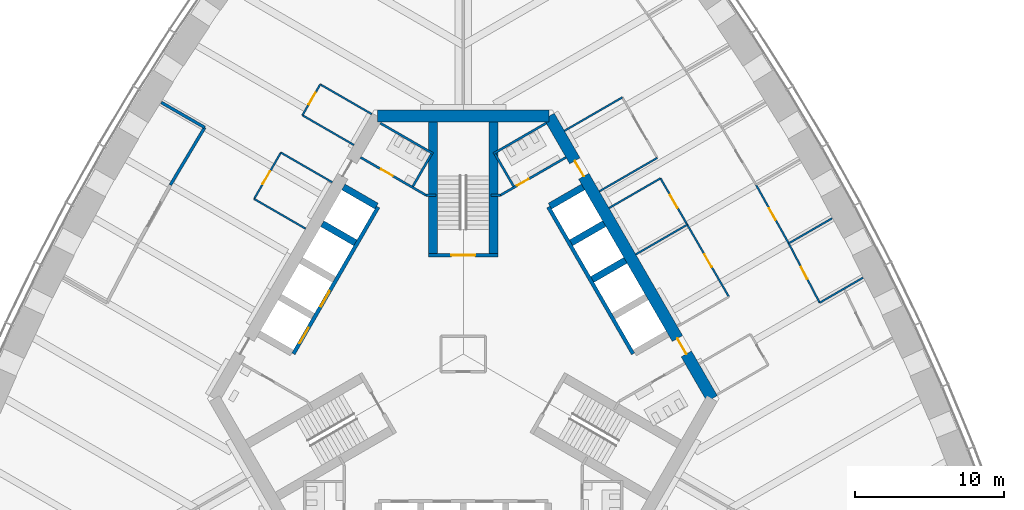
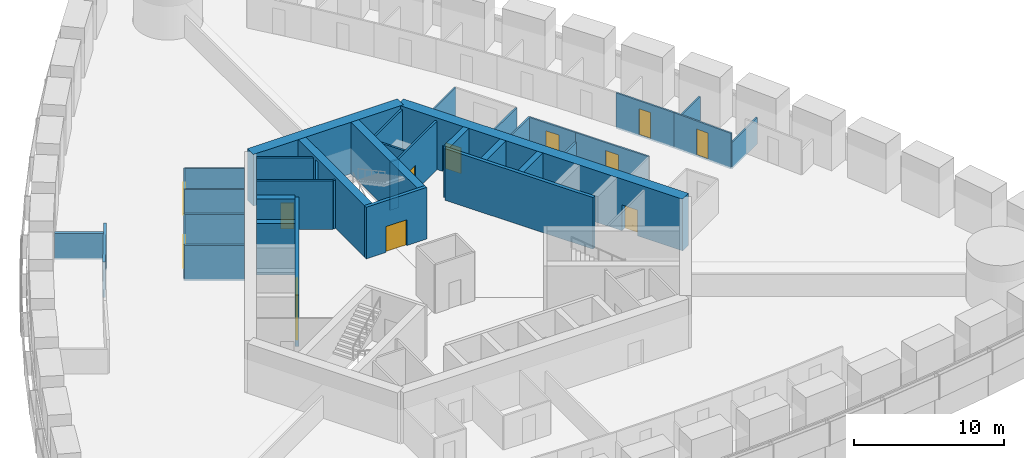
# One storey, part 12 of 18: 38 walls, 13 doors, 13 openings.
"""IFC4 building model written with IfcOpenShell, lengths in metres."""

import ifcopenshell
import ifcopenshell.guid

model = None  # the IFC model being written
_history = None  # IfcOwnerHistory: only IFC2X3 demands one
_inside = {}  # id of a spatial element -> (the spatial element, [elements in it])
_under = {}  # id of a project, library or spatial element -> (it, [spatial elements below it])
_declared = {}  # id of a project -> (the project, [libraries it declares])
_typed = {}  # id of a type object -> (the type object, [elements of that type])
_made_of = {}  # id of a material, layer set ... -> (it, [elements and type objects made of it])


def new_model(schema):
    """Start an empty IFC model of exactly this schema.

    Asked for "IFC4X3", IfcOpenShell would pick the latest addendum, in which some entities
    have other attributes; the version numbers below select the first issue.
    IFC2X3 requires an IfcOwnerHistory on every rooted entity: one is made here for all.
    """
    global model, _history
    if schema == "IFC4X3":
        model = ifcopenshell.file(schema_version=(4, 3, 0, 0))
    else:
        model = ifcopenshell.file(schema=schema)
    _inside.clear()
    _under.clear()
    _declared.clear()
    _typed.clear()
    _made_of.clear()
    _history = None
    if model.schema == "IFC2X3":
        org = make("IfcOrganization", Name="unknown")
        user = make(
            "IfcPersonAndOrganization",
            ThePerson=make("IfcPerson", FamilyName="unknown"),
            TheOrganization=org,
        )
        app = make(
            "IfcApplication",
            ApplicationDeveloper=org,
            Version="unknown",
            ApplicationFullName="unknown",
            ApplicationIdentifier="unknown",
        )
        _history = make(
            "IfcOwnerHistory",
            OwningUser=user,
            OwningApplication=app,
            ChangeAction="ADDED",
            CreationDate=0,
        )
    return model


def make(cls, **values):
    """One entity of the class cls with the attributes given. An attribute that is None is left unset."""
    return model.create_entity(
        cls, **{name: value for name, value in values.items() if value is not None}
    )


def rooted(cls, **values):
    """An entity with a GlobalId (a new one), such as an element, a storey or a relation."""
    return make(cls, GlobalId=ifcopenshell.guid.new(), OwnerHistory=_history, **values)


def si_unit(unit_type, name, prefix=None):
    """IfcSIUnit, for example si_unit("LENGTHUNIT", "METRE", prefix="MILLI")."""
    return make("IfcSIUnit", UnitType=unit_type, Prefix=prefix, Name=name)


def assignment(units):
    """IfcUnitAssignment: the units of a project."""
    return None if units is None else make("IfcUnitAssignment", Units=units)


def point(xyz):
    """IfcCartesianPoint."""
    return None if xyz is None else make("IfcCartesianPoint", Coordinates=xyz)


def direction(xyz):
    """IfcDirection."""
    return None if xyz is None else make("IfcDirection", DirectionRatios=xyz)


def frame(location, z_axis=None, x_axis=None):
    """IfcAxis2Placement3D, a coordinate frame: its origin and axes. An axis left out is left unset."""
    return make(
        "IfcAxis2Placement3D",
        Location=point(location),
        Axis=direction(z_axis),
        RefDirection=direction(x_axis),
    )


def frame_2d(location, x_axis=None):
    """IfcAxis2Placement2D, a coordinate frame in the plane: its origin and x axis."""
    return make(
        "IfcAxis2Placement2D", Location=point(location), RefDirection=direction(x_axis)
    )


def origin():
    """The frame at (0, 0, 0) with its axes left unset."""
    return frame((0.0, 0.0, 0.0))


def place(relative_to, where):
    """IfcLocalPlacement: puts the frame where relative to a parent placement (None: the world)."""
    return make(
        "IfcLocalPlacement", PlacementRelTo=relative_to, RelativePlacement=where
    )


def context(
    kind, dimensions, precision=None, world=None, true_north=None, identifier=None
):
    """IfcGeometricRepresentationContext, for example the 3D "Model" context."""
    return make(
        "IfcGeometricRepresentationContext",
        ContextIdentifier=identifier,
        ContextType=kind,
        CoordinateSpaceDimension=dimensions,
        Precision=precision,
        WorldCoordinateSystem=world,
        TrueNorth=true_north,
    )


def subcontext(parent, identifier, kind, view, scale=None):
    """IfcGeometricRepresentationSubContext, for example "Body" below "Model"."""
    return make(
        "IfcGeometricRepresentationSubContext",
        ContextIdentifier=identifier,
        ContextType=kind,
        ParentContext=parent,
        TargetScale=scale,
        TargetView=view,
    )


def project(units=None, contexts=None):
    """IfcProject with its units and contexts."""
    return rooted(
        "IfcProject",
        Name="project",
        RepresentationContexts=contexts,
        UnitsInContext=assignment(units),
    )


def spatial(cls, under=None, at=None, **own):
    """A site, building, storey or space (cls), placed at a placement, below another one or the project."""
    s = rooted(cls, ObjectPlacement=at, **own)
    if under is not None:
        _under.setdefault(under.id(), (under, []))[1].append(s)
    return s


def profile(cls, at=None, kind="AREA", **sizes):
    """A parametric profile (cls). Its sizes go by their IFC names, for example OverallWidth=200.0."""
    return make(cls, ProfileType=kind, Position=at, **sizes)


def rectangle(**sizes):
    """IfcRectangleProfileDef."""
    return profile("IfcRectangleProfileDef", **sizes)


def extrude(swept, where, along, depth):
    """IfcExtrudedAreaSolid: the profile swept, set in the frame where, extruded along a direction by depth."""
    return make(
        "IfcExtrudedAreaSolid",
        SweptArea=swept,
        Position=where,
        ExtrudedDirection=direction(along),
        Depth=depth,
    )


def shape(context_of_items, identifier, shape_type, items):
    """IfcShapeRepresentation: the items that make up one representation, for example the "Body"."""
    return make(
        "IfcShapeRepresentation",
        ContextOfItems=context_of_items,
        RepresentationIdentifier=identifier,
        RepresentationType=shape_type,
        Items=items,
    )


def material(Name=None, Category=None):
    """IfcMaterial."""
    return make("IfcMaterial", Name=Name, Category=Category)


def layer(
    of_material, thickness, ventilated=None, Name=None, Category=None, Priority=None
):
    """IfcMaterialLayer: one layer of a wall or slab, of a material (None: an air gap)."""
    return make(
        "IfcMaterialLayer",
        Material=of_material,
        LayerThickness=thickness,
        IsVentilated=ventilated,
        Name=Name,
        Category=Category,
        Priority=Priority,
    )


def layer_set(layers, Name=None):
    """IfcMaterialLayerSet."""
    return make("IfcMaterialLayerSet", MaterialLayers=layers, LayerSetName=Name)


def made_of(thing, what):
    """Note that an element or type object is made of a material, layer set ...; save() writes the relation."""
    if what is not None:
        _made_of.setdefault(what.id(), (what, []))[1].append(thing)
    return thing


def type_object(cls, material=None, **own):
    """A type object (cls), such as IfcWallType, which elements share."""
    return made_of(rooted(cls, **own), material)


def element(
    cls,
    number,
    at=None,
    inside=None,
    cuts=None,
    type_object=None,
    material=None,
    context=None,
    identifier="Body",
    shape_type=None,
    held_by="IfcProductDefinitionShape",
    body=None,
    shapes=None,
    **own,
):
    """One element of the class cls, such as IfcWall. Its Tag is "e" and its number.

    at: its placement. inside: the storey or other place that contains it. cuts: it is an
    opening in that element (IfcRelVoidsElement). A single representation is given by context,
    identifier, shape_type and body (its items); several are given by shapes. held_by: the class
    of the entity that holds the representations. save() writes the other relations.
    """
    e = rooted(cls, Tag="e%d" % number, ObjectPlacement=at, **own)
    if body is not None:
        shapes = [shape(context, identifier, shape_type, body)]
    if shapes is not None:
        e.Representation = make(held_by, Representations=shapes)
    if inside is not None:
        _inside.setdefault(inside.id(), (inside, []))[1].append(e)
    if cuts is not None:
        rooted(
            "IfcRelVoidsElement", RelatingBuildingElement=cuts, RelatedOpeningElement=e
        )
    if type_object is not None:
        _typed.setdefault(type_object.id(), (type_object, []))[1].append(e)
    return made_of(e, material)


def fill(opening, filler):
    """IfcRelFillsElement: the door or window that sits in an opening."""
    return rooted(
        "IfcRelFillsElement",
        RelatingOpeningElement=opening,
        RelatedBuildingElement=filler,
    )


def aggregate(whole, parts):
    """IfcRelAggregates: a whole, such as a stair, and the parts it consists of."""
    return rooted("IfcRelAggregates", RelatingObject=whole, RelatedObjects=parts)


def save(model, path):
    """Write the relations noted so far, then the file.

    IfcRelAggregates (storeys below a building ...), IfcRelContainedInSpatialStructure (elements
    in a storey), IfcRelDefinesByType, IfcRelAssociatesMaterial and IfcRelDeclares: one each for
    every whole, place, type object, material and project.
    """
    for whole, parts in _under.values():
        aggregate(whole, parts)
    for where, things in _inside.values():
        rooted(
            "IfcRelContainedInSpatialStructure",
            RelatedElements=things,
            RelatingStructure=where,
        )
    for kind, things in _typed.values():
        rooted("IfcRelDefinesByType", RelatedObjects=things, RelatingType=kind)
    for what, things in _made_of.values():
        rooted("IfcRelAssociatesMaterial", RelatedObjects=things, RelatingMaterial=what)
    for by, libraries in _declared.values():
        rooted("IfcRelDeclares", RelatingContext=by, RelatedDefinitions=libraries)
    model.write(path)


model = new_model("IFC4")

# Units and contexts
model_context = context("Model", 3, precision=1e-05, world=origin(), true_north=direction((0.0, 1.0)))
body_context = subcontext(model_context, "Body", "Model", "MODEL_VIEW")
ifc_project = project(units=[si_unit("LENGTHUNIT", "METRE"), si_unit("AREAUNIT", "SQUARE_METRE"), si_unit("VOLUMEUNIT", "CUBIC_METRE"), si_unit("PLANEANGLEUNIT", "RADIAN"), si_unit("MASSUNIT", "GRAM", prefix="KILO")], contexts=[model_context])

# Site, building, storey
site_placement = place(None, origin())
site = spatial("IfcSite", under=ifc_project, at=site_placement, CompositionType="ELEMENT")
building_placement = place(site_placement, origin())
building = spatial("IfcBuilding", under=site, at=building_placement, Name="Trefoil Bronze Tower", CompositionType="ELEMENT")
storey_placement = place(building_placement, frame((0.0, 0.0, 87.89990234375)))
storey = spatial("IfcBuildingStorey", under=building, at=storey_placement, Name="L20", CompositionType="ELEMENT", Elevation=87.89990234375)

# Walls
ifc_material_1 = material(Name="Gypsum board on steel studs", Category="steel")
ifc_layer_1 = layer(ifc_material_1, 0.199951171875)
ifc_layer_set_1 = layer_set([ifc_layer_1], Name="Acoustic partition 200")
wall_type_1 = type_object("IfcWallType", Name="Acoustic partition 200", PredefinedType="PARTITIONING", material=ifc_layer_set_1)
wall_1_placement = place(storey_placement, frame((-17.39453125, 15.23876953125, 0.0), z_axis=(0.0, 0.0, 1.0), x_axis=(-0.512483962191, -0.858696796604, 0.0)))
element("IfcWall", 1, at=wall_1_placement, inside=storey, type_object=wall_type_1, Name="Partition F3 L20", PredefinedType="PARTITIONING", context=body_context, shape_type="SweptSolid", body=[
    extrude(rectangle(XDim=4.50048828125, YDim=0.199951171875, at=frame_2d((2.250244140625, 0.0))), origin(), (0.0, 0.0, 1.0), 2.900146484375),
])
wall_2_placement = place(storey_placement, frame((-17.39453125, 15.23876953125, 0.0), z_axis=(0.0, 0.0, 1.0), x_axis=(-0.865991297194, 0.500059069696, 0.0)))
element("IfcWall", 2, at=wall_2_placement, inside=storey, type_object=wall_type_1, Name="Partition F3 L20", PredefinedType="PARTITIONING", context=body_context, shape_type="SweptSolid", body=[
    extrude(rectangle(XDim=3.369140625, YDim=0.199951171875, at=frame_2d((1.6845703125, 0.0))), origin(), (0.0, 0.0, 1.0), 2.150146484375),
])

# Wall, openings, doors
ifc_material_2 = material(Name="Concrete B80", Category="concrete")
ifc_layer_2 = layer(ifc_material_2, 0.800048828125)
ifc_layer_set_2 = layer_set([ifc_layer_2], Name="Core wall 800")
wall_type_2 = type_object("IfcWallType", Name="Core wall 800", PredefinedType="SHEAR", material=ifc_layer_set_2)
wall_3_placement = place(storey_placement, frame((16.7431640625, -3.0, 0.0), z_axis=(0.0, 0.0, 1.0), x_axis=(-0.500002442456, 0.866023993627, 0.0)))
wall_3 = element("IfcWall", 3, at=wall_3_placement, inside=storey, type_object=wall_type_2, Name="Core long wall 2 L20", PredefinedType="SHEAR", context=body_context, shape_type="SweptSolid", body=[
    extrude(rectangle(XDim=21.939453125, YDim=0.800048828125, at=frame_2d((10.9697265625, 0.0))), origin(), (0.0, 0.0, 1.0), 4.2001953125),
])
opening_1_placement = place(wall_3_placement, frame((17.269775390625, 0.0, 0.0)))
opening_1 = element("IfcOpeningElement", 4, at=opening_1_placement, cuts=wall_3, Name="Opening D2", PredefinedType="OPENING", context=body_context, shape_type="SweptSolid", body=[
    extrude(rectangle(XDim=1.199951171875, YDim=2.10009765625, at=frame_2d((0.60009765625, 1.050048828125))), frame((0.0, 0.409912109375, 0.0), z_axis=(0.0, -1.0, 0.0), x_axis=(1.0, 0.0, 0.0)), (0.0, 0.0, 1.0), 0.820068359375),
])
opening_2_placement = place(wall_3_placement, frame((3.4697265625, 0.0, 0.0)))
opening_2 = element("IfcOpeningElement", 5, at=opening_2_placement, cuts=wall_3, Name="Opening D2", PredefinedType="OPENING", context=body_context, shape_type="SweptSolid", body=[
    extrude(rectangle(XDim=1.199951171875, YDim=2.10009765625, at=frame_2d((0.60009765625, 1.050048828125))), frame((0.0, 0.409912109375, 0.0), z_axis=(0.0, -1.0, 0.0), x_axis=(1.0, 0.0, 0.0)), (0.0, 0.0, 1.0), 0.820068359375),
])
ifc_material_3 = material(Name="Steel door", Category="steel")
door_type_1 = type_object("IfcDoorType", Name="Lobby door 1200", OperationType="SINGLE_SWING_RIGHT", PredefinedType="DOOR", material=ifc_material_3)
door_1_placement = place(opening_1_placement, origin())
door_1 = element("IfcDoor", 6, at=door_1_placement, inside=storey, type_object=door_type_1, Name="Lobby door F2+ L20", OperationType="SINGLE_SWING_RIGHT", OverallHeight=2.10009765625, OverallWidth=1.199951171875, PredefinedType="DOOR", context=body_context, shape_type="SweptSolid", body=[
    extrude(rectangle(XDim=1.199951171875, YDim=2.10009765625, at=frame_2d((0.60009765625, 1.050048828125))), frame((0.0, 0.02490234375, 0.0), z_axis=(0.0, -1.0, 0.0), x_axis=(1.0, 0.0, 0.0)), (0.0, 0.0, 1.0), 0.050048828125),
])
fill(opening_1, door_1)
door_2_placement = place(opening_2_placement, origin())
door_2 = element("IfcDoor", 7, at=door_2_placement, inside=storey, type_object=door_type_1, Name="Lobby door F2- L20", OperationType="SINGLE_SWING_LEFT", OverallHeight=2.10009765625, OverallWidth=1.199951171875, PredefinedType="DOOR", context=body_context, shape_type="SweptSolid", body=[
    extrude(rectangle(XDim=1.199951171875, YDim=2.10009765625, at=frame_2d((0.60009765625, 1.050048828125))), frame((0.0, 0.02490234375, 0.0), z_axis=(0.0, -1.0, 0.0), x_axis=(1.0, 0.0, 0.0)), (0.0, 0.0, 1.0), 0.050048828125),
])
fill(opening_2, door_2)

# Wall
wall_4_placement = place(storey_placement, frame((5.7734375, 16.0, 0.0), z_axis=(0.0, 0.0, 1.0), x_axis=(-1.0, 0.0, 0.0)))
element("IfcWall", 8, at=wall_4_placement, inside=storey, type_object=wall_type_2, Name="Core short wall 2 L20", PredefinedType="SHEAR", context=body_context, shape_type="SweptSolid", body=[
    extrude(rectangle(XDim=11.546875, YDim=0.800048828125, at=frame_2d((5.7734375, 0.0))), origin(), (0.0, 0.0, 1.0), 4.2001953125),
])

# Wall, opening, door
ifc_material_4 = material(Name="Glazed partition", Category="glass")
ifc_layer_3 = layer(ifc_material_4, 0.1201171875)
ifc_layer_set_3 = layer_set([ifc_layer_3], Name="Glazed partition 120")
wall_type_3 = type_object("IfcWallType", Name="Glazed partition 120", PredefinedType="PARTITIONING", material=ifc_layer_set_3)
wall_5_placement = place(storey_placement, frame((15.06884765625, 8.699951171875, 0.0), z_axis=(0.0, 0.0, 1.0), x_axis=(-0.500012057535, 0.866018442252, 0.0)))
wall_5 = element("IfcWall", 9, at=wall_5_placement, inside=storey, type_object=wall_type_3, Name="Partition F2 L20", PredefinedType="PARTITIONING", context=body_context, shape_type="SweptSolid", body=[
    extrude(rectangle(XDim=3.60009765625, YDim=0.1201171875, at=frame_2d((1.800048828125, 0.0))), origin(), (0.0, 0.0, 1.0), 2.900146484375),
])
opening_3_placement = place(wall_5_placement, frame((1.300048828125, 0.0, 0.14990234375)))
opening_3 = element("IfcOpeningElement", 10, at=opening_3_placement, cuts=wall_5, Name="Opening D9", PredefinedType="OPENING", context=body_context, shape_type="SweptSolid", body=[
    extrude(rectangle(XDim=1.0, YDim=2.10009765625, at=frame_2d((0.5, 1.050048828125))), frame((0.0, 0.070068359375, 0.0), z_axis=(0.0, -1.0, 0.0), x_axis=(1.0, 0.0, 0.0)), (0.0, 0.0, 1.0), 0.14013671875),
])
ifc_material_5 = material(Name="Glazed timber door", Category="wood")
door_type_2 = type_object("IfcDoorType", Name="Meeting room door 1000", OperationType="SINGLE_SWING_LEFT", PredefinedType="DOOR", material=ifc_material_5)
door_3_placement = place(opening_3_placement, origin())
door_3 = element("IfcDoor", 11, at=door_3_placement, inside=storey, type_object=door_type_2, Name="Meeting room door F2 L20", OperationType="SINGLE_SWING_LEFT", OverallHeight=2.10009765625, OverallWidth=1.0, PredefinedType="DOOR", context=body_context, shape_type="SweptSolid", body=[
    extrude(rectangle(XDim=1.0, YDim=2.10009765625, at=frame_2d((0.5, 1.050048828125))), frame((0.0, 0.02490234375, 0.0), z_axis=(0.0, -1.0, 0.0), x_axis=(1.0, 0.0, 0.0)), (0.0, 0.0, 1.0), 0.050048828125),
])
fill(opening_3, door_3)

wall_6_placement = place(storey_placement, frame((17.868896484375, 3.850341796875, 0.0), z_axis=(0.0, 0.0, 1.0), x_axis=(-0.500016814911, 0.866015695474, 0.0)))
wall_6 = element("IfcWall", 12, at=wall_6_placement, inside=storey, type_object=wall_type_3, Name="Partition F2 L20", PredefinedType="PARTITIONING", context=body_context, shape_type="SweptSolid", body=[
    extrude(rectangle(XDim=5.599853515625, YDim=0.1201171875, at=frame_2d((2.7998046875, 0.0))), origin(), (0.0, 0.0, 1.0), 2.900146484375),
])
opening_4_placement = place(wall_6_placement, frame((2.300048828125, 0.0, 0.14990234375)))
opening_4 = element("IfcOpeningElement", 13, at=opening_4_placement, cuts=wall_6, Name="Opening D9", PredefinedType="OPENING", context=body_context, shape_type="SweptSolid", body=[
    extrude(rectangle(XDim=1.0, YDim=2.10009765625, at=frame_2d((0.5, 1.050048828125))), frame((0.0, 0.070068359375, 0.0), z_axis=(0.0, -1.0, 0.0), x_axis=(1.0, 0.0, 0.0)), (0.0, 0.0, 1.0), 0.14013671875),
])
door_4_placement = place(opening_4_placement, origin())
door_4 = element("IfcDoor", 14, at=door_4_placement, inside=storey, type_object=door_type_2, Name="Meeting room door F2 L20", OperationType="SINGLE_SWING_RIGHT", OverallHeight=2.10009765625, OverallWidth=1.0, PredefinedType="DOOR", context=body_context, shape_type="SweptSolid", body=[
    extrude(rectangle(XDim=1.0, YDim=2.10009765625, at=frame_2d((0.5, 1.050048828125))), frame((0.0, 0.02490234375, 0.0), z_axis=(0.0, -1.0, 0.0), x_axis=(1.0, 0.0, 0.0)), (0.0, 0.0, 1.0), 0.050048828125),
])
fill(opening_4, door_4)

# Walls
wall_7_placement = place(storey_placement, frame((9.8046875, 9.817626953125, 0.0), z_axis=(0.0, 0.0, 1.0), x_axis=(0.866026010844, 0.49999894854, 0.0)))
element("IfcWall", 15, at=wall_7_placement, inside=storey, type_object=wall_type_3, Name="Partition F2 L20", PredefinedType="PARTITIONING", context=body_context, shape_type="SweptSolid", body=[
    extrude(rectangle(XDim=4.0, YDim=0.1201171875, at=frame_2d((2.0, 0.0))), origin(), (0.0, 0.0, 1.0), 2.900146484375),
])
wall_8_placement = place(storey_placement, frame((9.15478515625, 10.943603515625, 0.0), z_axis=(0.0, 0.0, 1.0), x_axis=(0.866017533419, 0.500013631625, 0.0)))
element("IfcWall", 16, at=wall_8_placement, inside=storey, type_object=wall_type_3, Name="Partition F2 L20", PredefinedType="PARTITIONING", context=body_context, shape_type="SweptSolid", body=[
    extrude(rectangle(XDim=4.499755859375, YDim=0.1201171875, at=frame_2d((2.25, 0.0))), origin(), (0.0, 0.0, 1.0), 2.900146484375),
])
wall_9_placement = place(storey_placement, frame((6.8046875, 15.013916015625, 0.0), z_axis=(0.0, 0.0, 1.0), x_axis=(0.866031096941, 0.499990139034, 0.0)))
element("IfcWall", 17, at=wall_9_placement, inside=storey, type_object=wall_type_3, Name="Partition F2 L20", PredefinedType="PARTITIONING", context=body_context, shape_type="SweptSolid", body=[
    extrude(rectangle(XDim=4.5, YDim=0.1201171875, at=frame_2d((2.25, 0.0))), origin(), (0.0, 0.0, 1.0), 2.900146484375),
])
wall_10_placement = place(storey_placement, frame((11.604736328125, 6.699951171875, 0.0), z_axis=(0.0, 0.0, 1.0), x_axis=(0.866026010844, 0.49999894854, 0.0)))
element("IfcWall", 18, at=wall_10_placement, inside=storey, type_object=wall_type_3, Name="Partition F2 L20", PredefinedType="PARTITIONING", context=body_context, shape_type="SweptSolid", body=[
    extrude(rectangle(XDim=4.0, YDim=0.1201171875, at=frame_2d((2.0, 0.0))), origin(), (0.0, 0.0, 1.0), 2.150146484375),
])

# Wall, opening, door
wall_11_placement = place(storey_placement, frame((21.89453125, 7.444580078125, 0.0), z_axis=(0.0, 0.0, 1.0), x_axis=(-0.487415216275, 0.87317031955, 0.0)))
wall_11 = element("IfcWall", 19, at=wall_11_placement, inside=storey, type_object=wall_type_3, Name="Partition F2 L20", PredefinedType="PARTITIONING", context=body_context, shape_type="SweptSolid", body=[
    extrude(rectangle(XDim=4.50048828125, YDim=0.1201171875, at=frame_2d((2.250244140625, 0.0))), origin(), (0.0, 0.0, 1.0), 2.900146484375),
])
opening_5_placement = place(wall_11_placement, frame((1.800048828125, 0.0, 0.14990234375)))
opening_5 = element("IfcOpeningElement", 20, at=opening_5_placement, cuts=wall_11, Name="Opening D8", PredefinedType="OPENING", context=body_context, shape_type="SweptSolid", body=[
    extrude(rectangle(XDim=0.89990234375, YDim=2.10009765625, at=frame_2d((0.449951171875, 1.050048828125))), frame((0.0, 0.070068359375, 0.0), z_axis=(0.0, -1.0, 0.0), x_axis=(1.0, 0.0, 0.0)), (0.0, 0.0, 1.0), 0.14013671875),
])
ifc_material_6 = material(Name="Timber door", Category="wood")
door_type_3 = type_object("IfcDoorType", Name="Office door 900", OperationType="SINGLE_SWING_LEFT", PredefinedType="DOOR", material=ifc_material_6)
door_5_placement = place(opening_5_placement, frame((0.89990234375, 0.0, 0.0), z_axis=(0.0, 0.0, 1.0), x_axis=(-1.0, 0.0, 0.0)))
door_5 = element("IfcDoor", 21, at=door_5_placement, inside=storey, type_object=door_type_3, Name="Office door F2 L20", OperationType="SINGLE_SWING_RIGHT", OverallHeight=2.10009765625, OverallWidth=0.89990234375, PredefinedType="DOOR", context=body_context, shape_type="SweptSolid", body=[
    extrude(rectangle(XDim=0.89990234375, YDim=2.10009765625, at=frame_2d((0.449951171875, 1.050048828125))), frame((0.0, 0.02490234375, 0.0), z_axis=(0.0, -1.0, 0.0), x_axis=(1.0, 0.0, 0.0)), (0.0, 0.0, 1.0), 0.050048828125),
])
fill(opening_5, door_5)

wall_12_placement = place(storey_placement, frame((23.974609375, 3.449462890625, 0.0), z_axis=(0.0, 0.0, 1.0), x_axis=(-0.461810056307, 0.886978845235, 0.0)))
wall_12 = element("IfcWall", 22, at=wall_12_placement, inside=storey, type_object=wall_type_3, Name="Partition F2 L20", PredefinedType="PARTITIONING", context=body_context, shape_type="SweptSolid", body=[
    extrude(rectangle(XDim=4.504150390625, YDim=0.1201171875, at=frame_2d((2.251953125, 0.0))), origin(), (0.0, 0.0, 1.0), 2.900146484375),
])
opening_6_placement = place(wall_12_placement, frame((1.800048828125, 0.0, 0.14990234375)))
opening_6 = element("IfcOpeningElement", 23, at=opening_6_placement, cuts=wall_12, Name="Opening D8", PredefinedType="OPENING", context=body_context, shape_type="SweptSolid", body=[
    extrude(rectangle(XDim=0.89990234375, YDim=2.10009765625, at=frame_2d((0.449951171875, 1.050048828125))), frame((0.0, 0.070068359375, 0.0), z_axis=(0.0, -1.0, 0.0), x_axis=(1.0, 0.0, 0.0)), (0.0, 0.0, 1.0), 0.14013671875),
])
door_6_placement = place(opening_6_placement, frame((0.89990234375, 0.0, 0.0), z_axis=(0.0, 0.0, 1.0), x_axis=(-1.0, 0.0, 0.0)))
door_6 = element("IfcDoor", 24, at=door_6_placement, inside=storey, type_object=door_type_3, Name="Office door F2 L20", OperationType="SINGLE_SWING_RIGHT", OverallHeight=2.10009765625, OverallWidth=0.89990234375, PredefinedType="DOOR", context=body_context, shape_type="SweptSolid", body=[
    extrude(rectangle(XDim=0.89990234375, YDim=2.10009765625, at=frame_2d((0.449951171875, 1.050048828125))), frame((0.0, 0.02490234375, 0.0), z_axis=(0.0, -1.0, 0.0), x_axis=(1.0, 0.0, 0.0)), (0.0, 0.0, 1.0), 0.050048828125),
])
fill(opening_6, door_6)

# Walls
wall_13_placement = place(storey_placement, frame((21.89453125, 7.444580078125, 0.0), z_axis=(0.0, 0.0, 1.0), x_axis=(0.866022675988, 0.500004724652, 0.0)))
element("IfcWall", 25, at=wall_13_placement, inside=storey, type_object=wall_type_3, Name="Partition F2 L20", PredefinedType="PARTITIONING", context=body_context, shape_type="SweptSolid", body=[
    extrude(rectangle(XDim=3.369140625, YDim=0.1201171875, at=frame_2d((1.6845703125, 0.0))), origin(), (0.0, 0.0, 1.0), 2.150146484375),
])
wall_14_placement = place(storey_placement, frame((23.974609375, 3.449462890625, 0.0), z_axis=(0.0, 0.0, 1.0), x_axis=(0.866039498442, 0.499975586543, 0.0)))
element("IfcWall", 26, at=wall_14_placement, inside=storey, type_object=wall_type_3, Name="Partition F2 L20", PredefinedType="PARTITIONING", context=body_context, shape_type="SweptSolid", body=[
    extrude(rectangle(XDim=3.367431640625, YDim=0.1201171875, at=frame_2d((1.68359375, 0.0))), origin(), (0.0, 0.0, 1.0), 2.150146484375),
])

# Wall, opening, door
wall_15_placement = place(storey_placement, frame((-9.618896484375, 18.1396484375, 0.0), z_axis=(0.0, 0.0, 1.0), x_axis=(-0.500001309137, -0.866024647952, 0.0)))
wall_15 = element("IfcWall", 27, at=wall_15_placement, inside=storey, type_object=wall_type_3, Name="Partition F3 L20", PredefinedType="PARTITIONING", context=body_context, shape_type="SweptSolid", body=[
    extrude(rectangle(XDim=2.39990234375, YDim=0.1201171875, at=frame_2d((1.199951171875, 0.0))), origin(), (0.0, 0.0, 1.0), 2.900146484375),
])
opening_7_placement = place(wall_15_placement, frame((0.64990234375, 0.0, 0.14990234375)))
opening_7 = element("IfcOpeningElement", 28, at=opening_7_placement, cuts=wall_15, Name="Opening D8", PredefinedType="OPENING", context=body_context, shape_type="SweptSolid", body=[
    extrude(rectangle(XDim=0.89990234375, YDim=2.10009765625, at=frame_2d((0.449951171875, 1.050048828125))), frame((0.0, 0.070068359375, 0.0), z_axis=(0.0, -1.0, 0.0), x_axis=(1.0, 0.0, 0.0)), (0.0, 0.0, 1.0), 0.14013671875),
])
door_7_placement = place(opening_7_placement, origin())
door_7 = element("IfcDoor", 29, at=door_7_placement, inside=storey, type_object=door_type_3, Name="Print and store room door F3 L20", OperationType="SINGLE_SWING_LEFT", OverallHeight=2.10009765625, OverallWidth=0.89990234375, PredefinedType="DOOR", context=body_context, shape_type="SweptSolid", body=[
    extrude(rectangle(XDim=0.89990234375, YDim=2.10009765625, at=frame_2d((0.449951171875, 1.050048828125))), frame((0.0, 0.02490234375, 0.0), z_axis=(0.0, -1.0, 0.0), x_axis=(1.0, 0.0, 0.0)), (0.0, 0.0, 1.0), 0.050048828125),
])
fill(opening_7, door_7)

wall_16_placement = place(storey_placement, frame((-12.268798828125, 13.5498046875, 0.0), z_axis=(0.0, 0.0, 1.0), x_axis=(-0.500012057535, -0.866018442252, 0.0)))
wall_16 = element("IfcWall", 30, at=wall_16_placement, inside=storey, type_object=wall_type_3, Name="Partition F3 L20", PredefinedType="PARTITIONING", context=body_context, shape_type="SweptSolid", body=[
    extrude(rectangle(XDim=3.60009765625, YDim=0.1201171875, at=frame_2d((1.800048828125, 0.0))), origin(), (0.0, 0.0, 1.0), 2.900146484375),
])
opening_8_placement = place(wall_16_placement, frame((1.449951171875, 0.0, 0.14990234375)))
opening_8 = element("IfcOpeningElement", 31, at=opening_8_placement, cuts=wall_16, Name="Opening D9", PredefinedType="OPENING", context=body_context, shape_type="SweptSolid", body=[
    extrude(rectangle(XDim=1.0, YDim=2.10009765625, at=frame_2d((0.5, 1.050048828125))), frame((0.0, 0.070068359375, 0.0), z_axis=(0.0, -1.0, 0.0), x_axis=(1.0, 0.0, 0.0)), (0.0, 0.0, 1.0), 0.14013671875),
])
door_8_placement = place(opening_8_placement, origin())
door_8 = element("IfcDoor", 32, at=door_8_placement, inside=storey, type_object=door_type_2, Name="Meeting room door F3 L20", OperationType="SINGLE_SWING_RIGHT", OverallHeight=2.10009765625, OverallWidth=1.0, PredefinedType="DOOR", context=body_context, shape_type="SweptSolid", body=[
    extrude(rectangle(XDim=1.0, YDim=2.10009765625, at=frame_2d((0.5, 1.050048828125))), frame((0.0, 0.02490234375, 0.0), z_axis=(0.0, -1.0, 0.0), x_axis=(1.0, 0.0, 0.0)), (0.0, 0.0, 1.0), 0.050048828125),
])
fill(opening_8, door_8)

# Walls
for number, where, z_axis, x_axis, name in (
    (33, (-6.15478515625, 16.1396484375, 0.0), (0.0, 0.0, 1.0), (-0.866026010844, 0.49999894854, 0.0), "Partition F3 L20"),
    (34, (-10.604736328125, 8.43212890625, 0.0), (0.0, 0.0, 1.0), (-0.866026010844, 0.49999894854, 0.0), "Partition F3 L20"),
    (35, (-8.8046875, 11.5498046875, 0.0), (0.0, 0.0, 1.0), (-0.866026010844, 0.49999894854, 0.0), "Partition F3 L20"),
    (36, (-7.354736328125, 14.061279296875, 0.0), (0.0, 0.0, 1.0), (-0.866026010844, 0.49999894854, 0.0), "Partition F3 L20"),
):
    element("IfcWall", number, at=place(storey_placement, frame(where, z_axis=z_axis, x_axis=x_axis)), inside=storey, type_object=wall_type_3, Name=name, PredefinedType="PARTITIONING", context=body_context, shape_type="SweptSolid", body=[
        extrude(rectangle(XDim=4.0, YDim=0.1201171875, at=frame_2d((2.0, 0.0))), origin(), (0.0, 0.0, 1.0), 2.900146484375),
    ])
ifc_material_7 = material(Name="Concrete B80", Category="concrete")
ifc_layer_4 = layer(ifc_material_7, 0.449951171875)
ifc_layer_set_4 = layer_set([ifc_layer_4], Name="Outrigger shaft wall 450")
wall_type_4 = type_object("IfcWallType", Name="Outrigger shaft wall 450", PredefinedType="SHEAR", material=ifc_layer_set_4)
for number, where, z_axis, x_axis, name in (
    (37, (8.681884765625, 5.012451171875, 0.0), (0.0, 0.0, 1.0), (0.866005588531, 0.500034319456, 0.0), "Lift shaft side wall B2 L20"),
    (38, (7.2568359375, 7.480712890625, 0.0), (0.0, 0.0, 1.0), (0.866046643894, 0.499963209246, 0.0), "Lift shaft side wall B3 L20"),
):
    element("IfcWall", number, at=place(storey_placement, frame(where, z_axis=z_axis, x_axis=x_axis)), inside=storey, type_object=wall_type_4, Name=name, PredefinedType="SHEAR", context=body_context, shape_type="SweptSolid", body=[
        extrude(rectangle(XDim=2.574951171875, YDim=0.449951171875, at=frame_2d((1.28759765625, 0.0))), origin(), (0.0, 0.0, 1.0), 4.2001953125),
    ])
for number, where, z_axis, x_axis, name in (
    (39, (5.831787109375, 9.94873046875, 0.0), (0.0, 0.0, 1.0), (0.866029291668, 0.499993265928, 0.0), "Lift shaft side wall B4 L20"),
    (40, (-5.831787109375, 9.94873046875, 0.0), (0.0, 0.0, 1.0), (-0.866029291668, 0.499993265928, 0.0), "Lift shaft side wall C0 L20"),
):
    element("IfcWall", number, at=place(storey_placement, frame(where, z_axis=z_axis, x_axis=x_axis)), inside=storey, type_object=wall_type_4, Name=name, PredefinedType="SHEAR", context=body_context, shape_type="SweptSolid", body=[
        extrude(rectangle(XDim=2.5751953125, YDim=0.449951171875, at=frame_2d((1.28759765625, 0.0))), origin(), (0.0, 0.0, 1.0), 4.2001953125),
    ])
wall_17_placement = place(storey_placement, frame((-7.2568359375, 7.480712890625, 0.0), z_axis=(0.0, 0.0, 1.0), x_axis=(-0.866046643894, 0.499963209246, 0.0)))
element("IfcWall", 41, at=wall_17_placement, inside=storey, type_object=wall_type_4, Name="Lift shaft side wall C1 L20", PredefinedType="SHEAR", context=body_context, shape_type="SweptSolid", body=[
    extrude(rectangle(XDim=2.574951171875, YDim=0.449951171875, at=frame_2d((1.28759765625, 0.0))), origin(), (0.0, 0.0, 1.0), 4.2001953125),
])

# Wall, opening, door
ifc_material_8 = material(Name="Gypsum board on steel studs", Category="steel")
ifc_layer_5 = layer(ifc_material_8, 0.14990234375)
ifc_layer_set_5 = layer_set([ifc_layer_5], Name="Partition 150")
wall_type_5 = type_object("IfcWallType", Name="Partition 150", PredefinedType="PARTITIONING", material=ifc_layer_set_5)
wall_18_placement = place(storey_placement, frame((2.4951171875, 10.67822265625, 0.0), z_axis=(0.0, 0.0, 1.0), x_axis=(0.86602216432, 0.500005610874, 0.0)))
wall_18 = element("IfcWall", 42, at=wall_18_placement, inside=storey, type_object=wall_type_5, Name="Passage wall F2+ L20", PredefinedType="PARTITIONING", context=body_context, shape_type="SweptSolid", body=[
    extrude(rectangle(XDim=5.10009765625, YDim=0.14990234375, at=frame_2d((2.550048828125, 0.0))), origin(), (0.0, 0.0, 1.0), 3.9501953125),
])
opening_9_placement = place(wall_18_placement, frame((1.300048828125, 0.0, 0.0)))
opening_9 = element("IfcOpeningElement", 43, at=opening_9_placement, cuts=wall_18, Name="Opening D3", PredefinedType="OPENING", context=body_context, shape_type="SweptSolid", body=[
    extrude(rectangle(XDim=0.89990234375, YDim=2.10009765625, at=frame_2d((0.449951171875, 1.050048828125))), frame((0.0, 0.0849609375, 0.0), z_axis=(0.0, -1.0, 0.0), x_axis=(1.0, 0.0, 0.0)), (0.0, 0.0, 1.0), 0.169921875),
])
ifc_material_9 = material(Name="Timber door", Category="wood")
door_type_4 = type_object("IfcDoorType", Name="WC door 900", OperationType="SINGLE_SWING_LEFT", PredefinedType="DOOR", material=ifc_material_9)
door_9_placement = place(opening_9_placement, origin())
door_9 = element("IfcDoor", 44, at=door_9_placement, inside=storey, type_object=door_type_4, Name="WC (men) door L20", OperationType="SINGLE_SWING_LEFT", OverallHeight=2.10009765625, OverallWidth=0.89990234375, PredefinedType="DOOR", context=body_context, shape_type="SweptSolid", body=[
    extrude(rectangle(XDim=0.89990234375, YDim=2.10009765625, at=frame_2d((0.449951171875, 1.050048828125))), frame((0.0, 0.02490234375, 0.0), z_axis=(0.0, -1.0, 0.0), x_axis=(1.0, 0.0, 0.0)), (0.0, 0.0, 1.0), 0.050048828125),
])
fill(opening_9, door_9)

wall_19_placement = place(storey_placement, frame((-2.4951171875, 10.67822265625, 0.0), z_axis=(0.0, 0.0, 1.0), x_axis=(-0.86602216432, 0.500005610874, 0.0)))
wall_19 = element("IfcWall", 45, at=wall_19_placement, inside=storey, type_object=wall_type_5, Name="Passage wall F3- L20", PredefinedType="PARTITIONING", context=body_context, shape_type="SweptSolid", body=[
    extrude(rectangle(XDim=5.10009765625, YDim=0.14990234375, at=frame_2d((2.550048828125, 0.0))), origin(), (0.0, 0.0, 1.0), 3.9501953125),
])
opening_10_placement = place(wall_19_placement, frame((2.60009765625, 0.0, 0.0)))
opening_10 = element("IfcOpeningElement", 46, at=opening_10_placement, cuts=wall_19, Name="Opening D3", PredefinedType="OPENING", context=body_context, shape_type="SweptSolid", body=[
    extrude(rectangle(XDim=0.89990234375, YDim=2.10009765625, at=frame_2d((0.449951171875, 1.050048828125))), frame((0.0, 0.0849609375, 0.0), z_axis=(0.0, -1.0, 0.0), x_axis=(1.0, 0.0, 0.0)), (0.0, 0.0, 1.0), 0.169921875),
])
door_10_placement = place(opening_10_placement, frame((0.89990234375, 0.0, 0.0), z_axis=(0.0, 0.0, 1.0), x_axis=(-1.0, 0.0, 0.0)))
door_10 = element("IfcDoor", 47, at=door_10_placement, inside=storey, type_object=door_type_4, Name="WC (women) door L20", OperationType="SINGLE_SWING_RIGHT", OverallHeight=2.10009765625, OverallWidth=0.89990234375, PredefinedType="DOOR", context=body_context, shape_type="SweptSolid", body=[
    extrude(rectangle(XDim=0.89990234375, YDim=2.10009765625, at=frame_2d((0.449951171875, 1.050048828125))), frame((0.0, 0.02490234375, 0.0), z_axis=(0.0, -1.0, 0.0), x_axis=(1.0, 0.0, 0.0)), (0.0, 0.0, 1.0), 0.050048828125),
])
fill(opening_10, door_10)

# Walls
for number, where, z_axis, x_axis, name in (
    (48, (2.4951171875, 10.67822265625, 0.0), (0.0, 0.0, 1.0), (-1.0, 0.0, 0.0), "WC wall ST2-1 L20"),
    (49, (-2.4951171875, 10.67822265625, 0.0), (0.0, 0.0, 1.0), (1.0, 0.0, 0.0), "WC wall ST2+1 L20"),
):
    element("IfcWall", number, at=place(storey_placement, frame(where, z_axis=z_axis, x_axis=x_axis)), inside=storey, type_object=wall_type_5, Name=name, PredefinedType="PARTITIONING", context=body_context, shape_type="SweptSolid", body=[
        extrude(rectangle(XDim=0.64501953125, YDim=0.14990234375, at=frame_2d((0.322509765625, 0.0))), origin(), (0.0, 0.0, 1.0), 3.9501953125),
    ])
wall_20_placement = place(storey_placement, frame((2.03125, 13.48193359375, 0.0), z_axis=(0.0, 0.0, 1.0), x_axis=(0.866050731258, 0.499956128963, 0.0)))
element("IfcWall", 50, at=wall_20_placement, inside=storey, type_object=wall_type_5, Name="WC partition WC (men) L20", PredefinedType="PARTITIONING", context=body_context, shape_type="SweptSolid", body=[
    extrude(rectangle(XDim=4.099853515625, YDim=0.14990234375, at=frame_2d((2.0498046875, 0.0))), origin(), (0.0, 0.0, 1.0), 3.9501953125),
])
wall_21_placement = place(storey_placement, frame((3.388671875, 11.28076171875, 0.0), z_axis=(0.0, 0.0, 1.0), x_axis=(-0.499989096993, 0.866031698547, 0.0)))
element("IfcWall", 51, at=wall_21_placement, inside=storey, type_object=wall_type_5, Name="WC partition WC (men) L20", PredefinedType="PARTITIONING", context=body_context, shape_type="SweptSolid", body=[
    extrude(rectangle(XDim=2.509765625, YDim=0.14990234375, at=frame_2d((1.2548828125, 0.0))), origin(), (0.0, 0.0, 1.0), 3.9501953125),
])
wall_22_placement = place(storey_placement, frame((-2.03125, 13.48193359375, 0.0), z_axis=(0.0, 0.0, 1.0), x_axis=(-0.866050731258, 0.499956128963, 0.0)))
element("IfcWall", 52, at=wall_22_placement, inside=storey, type_object=wall_type_5, Name="WC partition WC (women) L20", PredefinedType="PARTITIONING", context=body_context, shape_type="SweptSolid", body=[
    extrude(rectangle(XDim=4.099853515625, YDim=0.14990234375, at=frame_2d((2.0498046875, 0.0))), origin(), (0.0, 0.0, 1.0), 3.9501953125),
])
wall_23_placement = place(storey_placement, frame((-3.388671875, 11.28076171875, 0.0), z_axis=(0.0, 0.0, 1.0), x_axis=(0.499989096993, 0.866031698547, 0.0)))
element("IfcWall", 53, at=wall_23_placement, inside=storey, type_object=wall_type_5, Name="WC partition WC (women) L20", PredefinedType="PARTITIONING", context=body_context, shape_type="SweptSolid", body=[
    extrude(rectangle(XDim=2.509765625, YDim=0.14990234375, at=frame_2d((1.2548828125, 0.0))), origin(), (0.0, 0.0, 1.0), 3.9501953125),
])
ifc_material_10 = material(Name="Concrete B80", Category="concrete")
ifc_layer_6 = layer(ifc_material_10, 0.25)
ifc_layer_set_6 = layer_set([ifc_layer_6], Name="Shaft wall 250")
wall_type_6 = type_object("IfcWallType", Name="Shaft wall 250", PredefinedType="SHEAR", material=ifc_layer_set_6)
wall_24_placement = place(storey_placement, frame((11.423583984375, 0.013671875, 0.0), z_axis=(0.0, 0.0, 1.0), x_axis=(-0.500001763848, 0.866024385424, 0.0)))
element("IfcWall", 54, at=wall_24_placement, inside=storey, type_object=wall_type_6, Name="Lift shaft front wall B L20", PredefinedType="SHEAR", context=body_context, shape_type="SweptSolid", body=[
    extrude(rectangle(XDim=11.39990234375, YDim=0.25, at=frame_2d((5.699951171875, 0.0))), origin(), (0.0, 0.0, 1.0), 4.2001953125),
])

# Wall, openings, doors
wall_25_placement = place(storey_placement, frame((-5.7236328125, 9.88623046875, 0.0), z_axis=(0.0, 0.0, 1.0), x_axis=(-0.500001763848, -0.866024385424, 0.0)))
wall_25 = element("IfcWall", 55, at=wall_25_placement, inside=storey, type_object=wall_type_6, Name="Lift shaft front wall C L20", PredefinedType="SHEAR", context=body_context, shape_type="SweptSolid", body=[
    extrude(rectangle(XDim=11.39990234375, YDim=0.25, at=frame_2d((5.699951171875, 0.0))), origin(), (0.0, 0.0, 1.0), 4.2001953125),
])
opening_11_placement = place(wall_25_placement, frame((6.52490234375, 0.0, 0.0)))
opening_11 = element("IfcOpeningElement", 56, at=opening_11_placement, cuts=wall_25, Name="Opening LD-FL1", PredefinedType="OPENING", context=body_context, shape_type="SweptSolid", body=[
    extrude(rectangle(XDim=1.199951171875, YDim=2.199951171875, at=frame_2d((0.60009765625, 1.10009765625))), frame((0.0, 0.135009765625, 0.0), z_axis=(0.0, -1.0, 0.0), x_axis=(1.0, 0.0, 0.0)), (0.0, 0.0, 1.0), 0.27001953125),
])
opening_12_placement = place(wall_25_placement, frame((9.375, 0.0, 0.0)))
opening_12 = element("IfcOpeningElement", 57, at=opening_12_placement, cuts=wall_25, Name="Opening LD-FL2", PredefinedType="OPENING", context=body_context, shape_type="SweptSolid", body=[
    extrude(rectangle(XDim=1.199951171875, YDim=2.199951171875, at=frame_2d((0.60009765625, 1.10009765625))), frame((0.0, 0.135009765625, 0.0), z_axis=(0.0, -1.0, 0.0), x_axis=(1.0, 0.0, 0.0)), (0.0, 0.0, 1.0), 0.27001953125),
])
ifc_material_11 = material(Name="Steel door", Category="steel")
door_type_5 = type_object("IfcDoorType", Name="Lift landing door 1200", OperationType="DOUBLE_DOOR_SLIDING", PredefinedType="DOOR", material=ifc_material_11)
door_11_placement = place(opening_11_placement, origin())
door_11 = element("IfcDoor", 58, at=door_11_placement, inside=storey, type_object=door_type_5, Name="Lift FL1 landing door L20", OperationType="DOUBLE_DOOR_SLIDING", OverallHeight=2.199951171875, OverallWidth=1.199951171875, PredefinedType="DOOR", context=body_context, shape_type="SweptSolid", body=[
    extrude(rectangle(XDim=1.199951171875, YDim=2.199951171875, at=frame_2d((0.60009765625, 1.10009765625))), frame((0.0, 0.02490234375, 0.0), z_axis=(0.0, -1.0, 0.0), x_axis=(1.0, 0.0, 0.0)), (0.0, 0.0, 1.0), 0.050048828125),
])
fill(opening_11, door_11)
door_12_placement = place(opening_12_placement, origin())
door_12 = element("IfcDoor", 59, at=door_12_placement, inside=storey, type_object=door_type_5, Name="Lift FL2 landing door L20", OperationType="DOUBLE_DOOR_SLIDING", OverallHeight=2.199951171875, OverallWidth=1.199951171875, PredefinedType="DOOR", context=body_context, shape_type="SweptSolid", body=[
    extrude(rectangle(XDim=1.199951171875, YDim=2.199951171875, at=frame_2d((0.60009765625, 1.10009765625))), frame((0.0, 0.02490234375, 0.0), z_axis=(0.0, -1.0, 0.0), x_axis=(1.0, 0.0, 0.0)), (0.0, 0.0, 1.0), 0.050048828125),
])
fill(opening_12, door_12)

# Wall, opening, door
wall_26_placement = place(storey_placement, frame((2.324951171875, 6.64990234375, 0.0), z_axis=(0.0, 0.0, 1.0), x_axis=(-1.0, 0.0, 0.0)))
wall_26 = element("IfcWall", 60, at=wall_26_placement, inside=storey, type_object=wall_type_6, Name="Stair end wall ST2 L20", PredefinedType="SHEAR", context=body_context, shape_type="SweptSolid", body=[
    extrude(rectangle(XDim=4.64990234375, YDim=0.25, at=frame_2d((2.324951171875, 0.0))), origin(), (0.0, 0.0, 1.0), 4.2001953125),
])
opening_13_placement = place(wall_26_placement, frame((1.52490234375, 0.0, 0.0)))
opening_13 = element("IfcOpeningElement", 61, at=opening_13_placement, cuts=wall_26, Name="Opening D1", PredefinedType="OPENING", context=body_context, shape_type="SweptSolid", body=[
    extrude(rectangle(XDim=1.60009765625, YDim=2.10009765625, at=frame_2d((0.800048828125, 1.050048828125))), frame((0.0, 0.135009765625, 0.0), z_axis=(0.0, -1.0, 0.0), x_axis=(1.0, 0.0, 0.0)), (0.0, 0.0, 1.0), 0.27001953125),
])
ifc_material_12 = material(Name="Steel door", Category="steel")
door_type_6 = type_object("IfcDoorType", Name="Stair door 1600", OperationType="DOUBLE_DOOR_SINGLE_SWING", PredefinedType="DOOR", material=ifc_material_12)
door_13_placement = place(opening_13_placement, frame((1.60009765625, 0.0, 0.0), z_axis=(0.0, 0.0, 1.0), x_axis=(-1.0, 0.0, 0.0)))
door_13 = element("IfcDoor", 62, at=door_13_placement, inside=storey, type_object=door_type_6, Name="Stair door ST2 L20", OperationType="DOUBLE_DOOR_SINGLE_SWING", OverallHeight=2.10009765625, OverallWidth=1.60009765625, PredefinedType="DOOR", context=body_context, shape_type="SweptSolid", body=[
    extrude(rectangle(XDim=1.60009765625, YDim=2.10009765625, at=frame_2d((0.800048828125, 1.050048828125))), frame((0.0, 0.02490234375, 0.0), z_axis=(0.0, -1.0, 0.0), x_axis=(1.0, 0.0, 0.0)), (0.0, 0.0, 1.0), 0.050048828125),
])
fill(opening_13, door_13)

# Walls
ifc_material_13 = material(Name="Concrete B80", Category="concrete")
ifc_layer_7 = layer(ifc_material_13, 0.60009765625)
ifc_layer_set_7 = layer_set([ifc_layer_7], Name="Stair wall 600")
wall_type_7 = type_object("IfcWallType", Name="Stair wall 600", PredefinedType="SHEAR", material=ifc_layer_set_7)
for number, where, z_axis, x_axis, name in (
    (63, (2.02490234375, 6.52490234375, 0.0), (0.0, 0.0, 1.0), (0.0, 1.0, 0.0), "Stair wall ST2 L20"),
    (64, (-2.02490234375, 6.52490234375, 0.0), (0.0, 0.0, 1.0), (0.0, 1.0, 0.0), "Stair wall ST2 L20"),
):
    element("IfcWall", number, at=place(storey_placement, frame(where, z_axis=z_axis, x_axis=x_axis)), inside=storey, type_object=wall_type_7, Name=name, PredefinedType="SHEAR", context=body_context, shape_type="SweptSolid", body=[
        extrude(rectangle(XDim=9.0751953125, YDim=0.60009765625, at=frame_2d((4.53759765625, 0.0))), origin(), (0.0, 0.0, 1.0), 4.2001953125),
    ])

save(model, "model.ifc")
